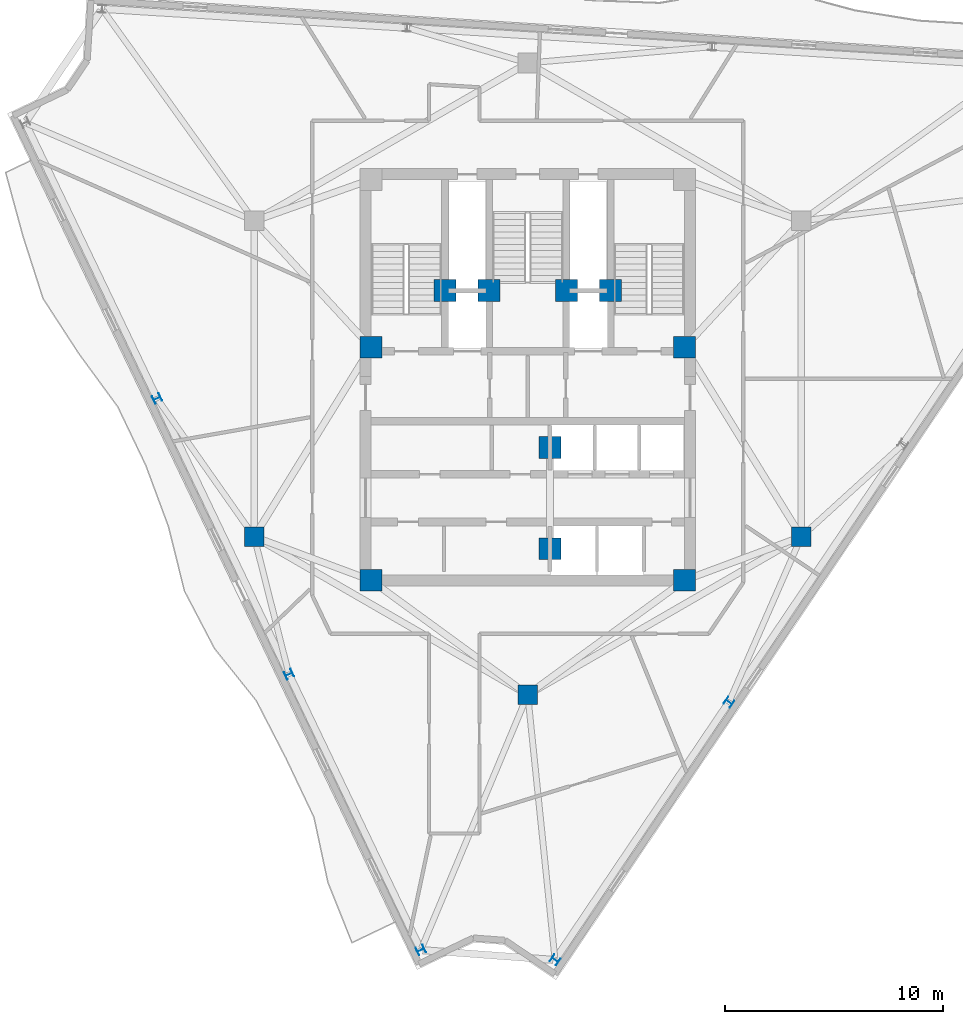
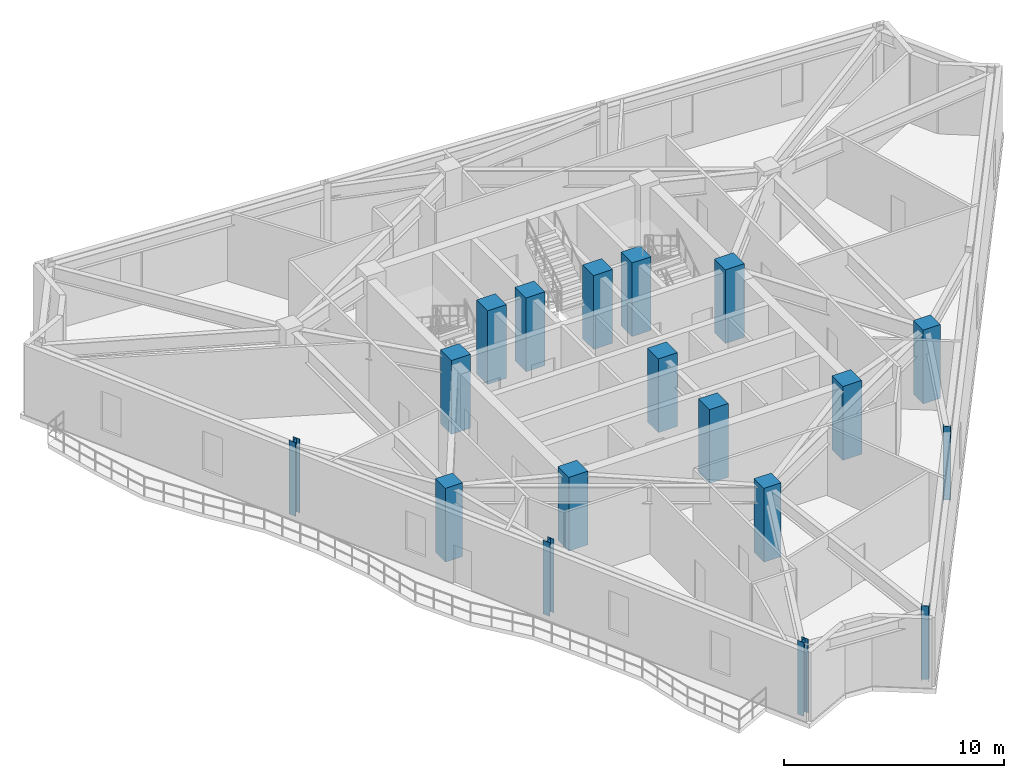
# One storey, part 1 of 10: 18 columns.
"""IFC4 building model written with IfcOpenShell, lengths in metres."""

from ifc_helpers import new_model, si_unit, direction, frame, origin, origin_2d, place, context, subcontext, project, spatial, rectangle, i_section, extrude, material, material_profile, profile_set, type_object, element, save


model = new_model("IFC4")

# Units and contexts
model_context = context("Model", 3, precision=1e-05, world=origin(), true_north=direction((0.0, 1.0)))
body_context = subcontext(model_context, "Body", "Model", "MODEL_VIEW")
ifc_project = project(units=[si_unit("LENGTHUNIT", "METRE"), si_unit("AREAUNIT", "SQUARE_METRE"), si_unit("VOLUMEUNIT", "CUBIC_METRE"), si_unit("PLANEANGLEUNIT", "RADIAN"), si_unit("MASSUNIT", "GRAM", prefix="KILO")], contexts=[model_context])

# Site, building, storey
site_placement = place(None, origin())
site = spatial("IfcSite", under=ifc_project, at=site_placement, CompositionType="ELEMENT")
building_placement = place(site_placement, origin())
building = spatial("IfcBuilding", under=site, at=building_placement, Name="Apsidion Concourse Tower", CompositionType="ELEMENT")
storey_placement = place(building_placement, frame((0.0, 0.0, 302.39990234375)))
storey = spatial("IfcBuildingStorey", under=building, at=storey_placement, Name="L71", CompositionType="ELEMENT", Elevation=302.39990234375)

# Columns
ifc_material_1 = material(Name="Concrete C50/60", Category="concrete")
ifc_material_profile_1 = material_profile(ifc_material_1, rectangle(XDim=1.0, YDim=1.0, at=origin_2d()), Name="RC 1000x1000")
ifc_profile_set_1 = profile_set([ifc_material_profile_1], Name="Concrete C50/60")
column_type_1 = type_object("IfcColumnType", Name="COL-RC-1000", PredefinedType="COLUMN", material=ifc_profile_set_1)
for number, where, z_axis, x_axis, name in (
    (1, (-7.199951171875, -9.25, 0.0), (0.0, 0.0, 1.0), (1.0, 0.0, 0.0), "L71 Core Super-Column SC1"),
    (2, (7.199951171875, -9.25, 0.0), (0.0, 0.0, 1.0), (1.0, 0.0, 0.0), "L71 Core Super-Column SC2"),
    (3, (7.199951171875, 1.449951171875, 0.0), (0.0, 0.0, 1.0), (1.0, 0.0, 0.0), "L71 Core Super-Column SC3"),
    (4, (-7.199951171875, 1.449951171875, 0.0), (0.0, 0.0, 1.0), (1.0, 0.0, 0.0), "L71 Core Super-Column SC6"),
    (5, (-3.800048828125, 4.050048828125, 0.0), (0.0, 0.0, 1.0), (1.0, 0.0, 0.0), "L71 Core Super-Column CC1"),
    (6, (3.800048828125, 4.050048828125, 0.0), (0.0, 0.0, 1.0), (1.0, 0.0, 0.0), "L71 Core Super-Column CC2"),
    (7, (-1.77490234375, 4.050048828125, 0.0), (0.0, 0.0, 1.0), (1.0, 0.0, 0.0), "L71 Core Super-Column CC3"),
    (8, (1.77490234375, 4.050048828125, 0.0), (0.0, 0.0, 1.0), (1.0, 0.0, 0.0), "L71 Core Super-Column CC4"),
    (9, (1.02490234375, -3.14990234375, 0.0), (0.0, 0.0, 1.0), (1.0, 0.0, 0.0), "L71 Core Super-Column CC5"),
    (10, (1.02490234375, -7.800048828125, 0.0), (0.0, 0.0, 1.0), (1.0, 0.0, 0.0), "L71 Core Super-Column CC6"),
):
    element("IfcColumn", number, at=place(storey_placement, frame(where, z_axis=z_axis, x_axis=x_axis)), inside=storey, type_object=column_type_1, Name=name, PredefinedType="COLUMN", context=body_context, shape_type="SweptSolid", body=[
        extrude(rectangle(XDim=1.0, YDim=1.0, at=origin_2d()), origin(), (0.0, 0.0, 1.0), 4.10009765625),
    ])
ifc_material_profile_2 = material_profile(ifc_material_1, rectangle(XDim=0.89990234375, YDim=0.89990234375, at=origin_2d()), Name="RC 900x900")
ifc_profile_set_2 = profile_set([ifc_material_profile_2], Name="Concrete C50/60")
column_type_2 = type_object("IfcColumnType", Name="COL-RC-900", PredefinedType="COLUMN", material=ifc_profile_set_2)
for number, where, z_axis, x_axis, name in (
    (11, (-12.56005859375, -7.25, 0.0), (0.0, 0.0, 1.0), (1.0, 0.0, 0.0), "L71 Interior Spine Column IC1"),
    (12, (12.56005859375, -7.25, 0.0), (0.0, 0.0, 1.0), (1.0, 0.0, 0.0), "L71 Interior Spine Column IC2"),
    (13, (0.0, -14.5, 0.0), (0.0, 0.0, 1.0), (1.0, 0.0, 0.0), "L71 Interior Spine Column IC6"),
):
    element("IfcColumn", number, at=place(storey_placement, frame(where, z_axis=z_axis, x_axis=x_axis)), inside=storey, type_object=column_type_2, Name=name, PredefinedType="COLUMN", context=body_context, shape_type="SweptSolid", body=[
        extrude(rectangle(XDim=0.89990234375, YDim=0.89990234375, at=origin_2d()), origin(), (0.0, 0.0, 1.0), 4.10009765625),
    ])
ifc_material_2 = material(Name="Structural steel ASTM A992 Grade 50", Category="steel")
ifc_material_profile_3 = material_profile(ifc_material_2, i_section(OverallWidth=0.367919921875, OverallDepth=0.35595703125, WebThickness=0.01123046875, FlangeThickness=0.01806640625, at=origin_2d()), Name="W14X90")
ifc_profile_set_3 = profile_set([ifc_material_profile_3], Name="Structural steel ASTM A992 Grade 50")
column_type_3 = type_object("IfcColumnType", Name="COL-W14-90", PredefinedType="COLUMN", material=ifc_profile_set_3)
for number, where, z_axis, x_axis, name in (
    (14, (-17.019287109375, -0.9033203125, 0.0), (0.0, 0.0, 1.0), (-0.431298587031, 0.902209248913, 0.0), "L71 Rotated Perimeter Column PC02"),
    (15, (-10.965576171875, -13.56494140625, 0.0), (0.0, 0.0, 1.0), (-0.431298587031, 0.902209248913, 0.0), "L71 Rotated Perimeter Column PC03"),
    (16, (-4.91162109375, -26.226806640625, 0.0), (0.0, 0.0, 1.0), (-0.431298587031, 0.902209248913, 0.0), "L71 Rotated Perimeter Column PC04"),
    (17, (1.25390625, -26.681884765625, 0.0), (0.0, 0.0, 1.0), (0.559192903471, 0.829037572555, 0.0), "L71 Rotated Perimeter Column PC05"),
    (18, (9.239013671875, -14.84375, 0.0), (0.0, 0.0, 1.0), (0.559192903471, 0.829037572555, 0.0), "L71 Rotated Perimeter Column PC06"),
):
    element("IfcColumn", number, at=place(storey_placement, frame(where, z_axis=z_axis, x_axis=x_axis)), inside=storey, type_object=column_type_3, Name=name, PredefinedType="COLUMN", context=body_context, shape_type="SweptSolid", body=[
        extrude(i_section(OverallWidth=0.367919921875, OverallDepth=0.35595703125, WebThickness=0.01123046875, FlangeThickness=0.01806640625, at=origin_2d()), origin(), (0.0, 0.0, 1.0), 4.10009765625),
    ])

save(model, "model.ifc")
